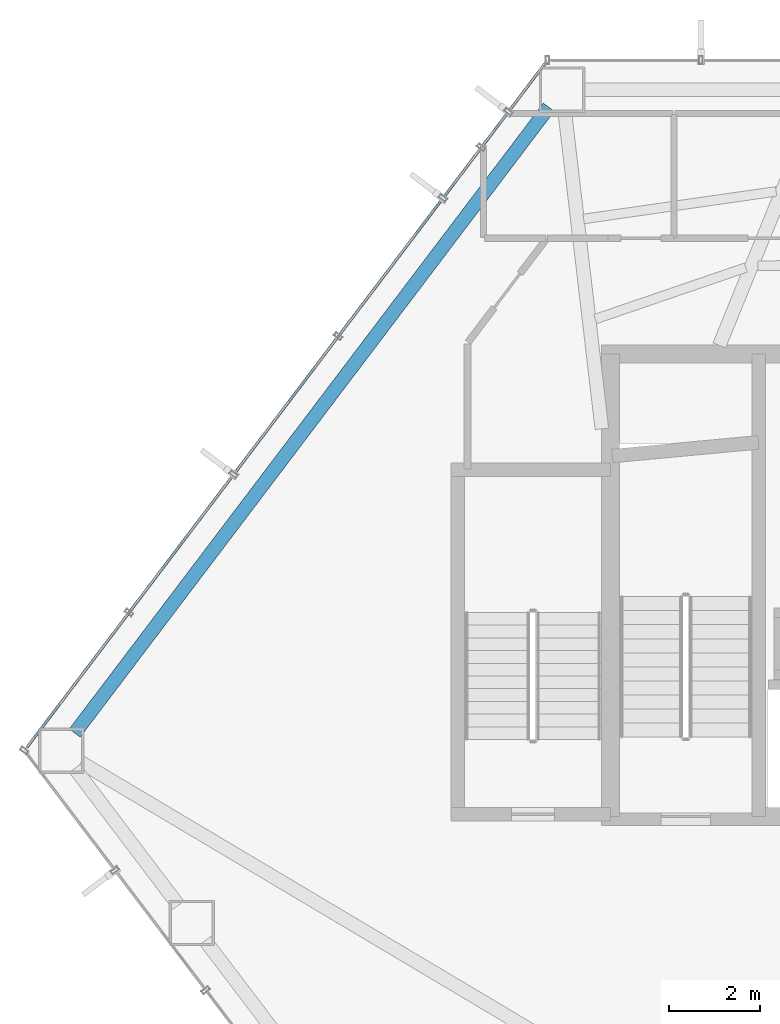
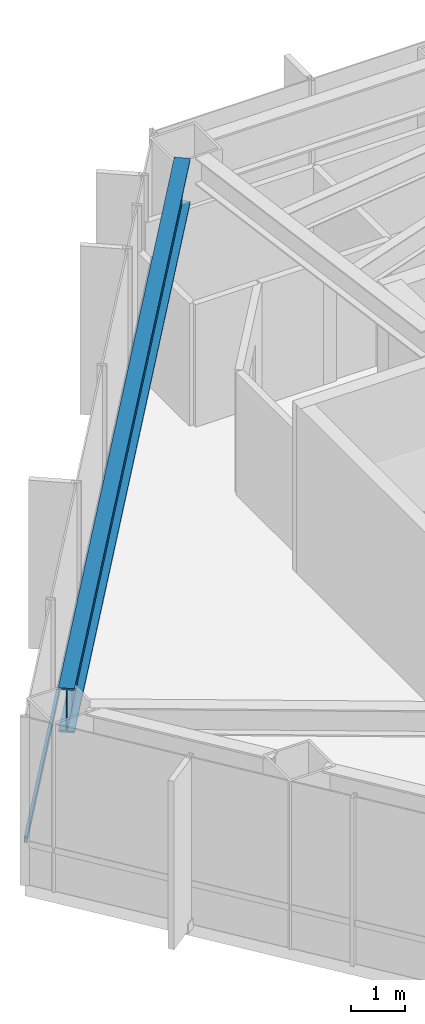
# One storey, part 11 of 25: 1 beam, 1 member, 1 element without a shape of its own.
"""IFC4 building model written with IfcOpenShell, lengths in metres."""

from ifc_helpers import new_model, si_unit, direction, frame, origin, origin_2d, place, context, subcontext, project, spatial, hollow_rectangle, i_section, extrude, material, layer, layer_set, material_profile, profile_set, type_object, element, aggregate, save


model = new_model("IFC4")

# Units and contexts
model_context = context("Model", 3, precision=1e-05, world=origin(), true_north=direction((0.0, 1.0)))
body_context = subcontext(model_context, "Body", "Model", "MODEL_VIEW")
ifc_project = project(units=[si_unit("LENGTHUNIT", "METRE"), si_unit("AREAUNIT", "SQUARE_METRE"), si_unit("VOLUMEUNIT", "CUBIC_METRE"), si_unit("PLANEANGLEUNIT", "RADIAN"), si_unit("MASSUNIT", "GRAM", prefix="KILO")], contexts=[model_context])

# Site, building, storey
site_placement = place(None, origin())
site = spatial("IfcSite", under=ifc_project, at=site_placement, CompositionType="ELEMENT")
building_placement = place(site_placement, origin())
building = spatial("IfcBuilding", under=site, at=building_placement, Name="Zarrinselat Tower", CompositionType="ELEMENT")
storey_placement = place(building_placement, frame((0.0, 0.0, 56.10009765625)))
storey = spatial("IfcBuildingStorey", under=building, at=storey_placement, Name="L13", CompositionType="ELEMENT", Elevation=56.10009765625)

# Beam
ifc_material_1 = material(Name="Steel S460M", Category="steel")
ifc_material_profile_1 = material_profile(ifc_material_1, i_section(OverallWidth=0.302001953125, OverallDepth=1.008056640625, WebThickness=0.02099609375, FlangeThickness=0.0400390625, at=origin_2d()), Name="HEM 1000")
ifc_profile_set_1 = profile_set([ifc_material_profile_1], Name="Steel S460M")
beam_type = type_object("IfcBeamType", Name="BM-HEM1000", PredefinedType="BEAM", material=ifc_profile_set_1)
beam_placement = place(storey_placement, frame((16.787109375, 35.09130859375, 3.31591796875), z_axis=(0.603854157843, 0.7970948225, 0.0), x_axis=(-0.7970948225, 0.603854157843, 0.0)))
element("IfcBeam", 1, at=beam_placement, inside=storey, type_object=beam_type, Name="L13 Perimeter Spandrel Girder SP05", PredefinedType="BEAM", context=body_context, shape_type="SweptSolid", body=[
    extrude(i_section(OverallWidth=0.302001953125, OverallDepth=1.008056640625, WebThickness=0.02099609375, FlangeThickness=0.0400390625, at=origin_2d()), origin(), (0.0, 0.0, 1.0), 17.309814453125),
])

# Curtain wall, member
ifc_material_2 = material(Name="Extruded Aluminium Alloy EN AW-6063 T6", Category="aluminium")
ifc_layer = layer(ifc_material_2, 0.18505859375)
ifc_layer_set = layer_set([ifc_layer], Name="Extruded Aluminium Alloy EN AW-6063 T6")
curtain_wall_type = type_object("IfcCurtainWallType", Name="CWS-OFF", PredefinedType="NOTDEFINED", material=ifc_layer_set)
curtain_wall_placement = place(storey_placement, origin())
curtain_wall = element("IfcCurtainWall", 2, at=curtain_wall_placement, inside=storey, type_object=curtain_wall_type, Name="L13 Unitised Curtain Wall CW-L13-E02", PredefinedType="NOTDEFINED")
ifc_material_3 = material(Name="Extruded Aluminium Alloy EN AW-6063 T6", Category="aluminium")
ifc_material_profile_2 = material_profile(ifc_material_3, hollow_rectangle(XDim=0.06005859375, YDim=0.139892578125, WallThickness=0.00390625, at=origin_2d()), Name="RHS 140x60x4")
ifc_profile_set_2 = profile_set([ifc_material_profile_2], Name="Extruded Aluminium Alloy EN AW-6063 T6")
member_type = type_object("IfcMemberType", Name="MEM-CW-TRN", PredefinedType="USERDEFINED", material=ifc_profile_set_2)
member_placement = place(storey_placement, frame((27.1572265625, 49.856201171875, 0.949951171875), z_axis=(-0.603859675342, -0.797090642585, 0.0), x_axis=(0.797090642585, -0.603859675342, 0.0)))
member = element("IfcMember", 3, at=member_placement, type_object=member_type, Name="CW-L13-E02 Transom 1", ObjectType="TRANSOM", PredefinedType="USERDEFINED", context=body_context, shape_type="SweptSolid", body=[
    extrude(hollow_rectangle(XDim=0.06005859375, YDim=0.139892578125, WallThickness=0.00390625, at=origin_2d()), origin(), (0.0, 0.0, 1.0), 18.921630859375),
])
aggregate(curtain_wall, [member])

save(model, "model.ifc")
